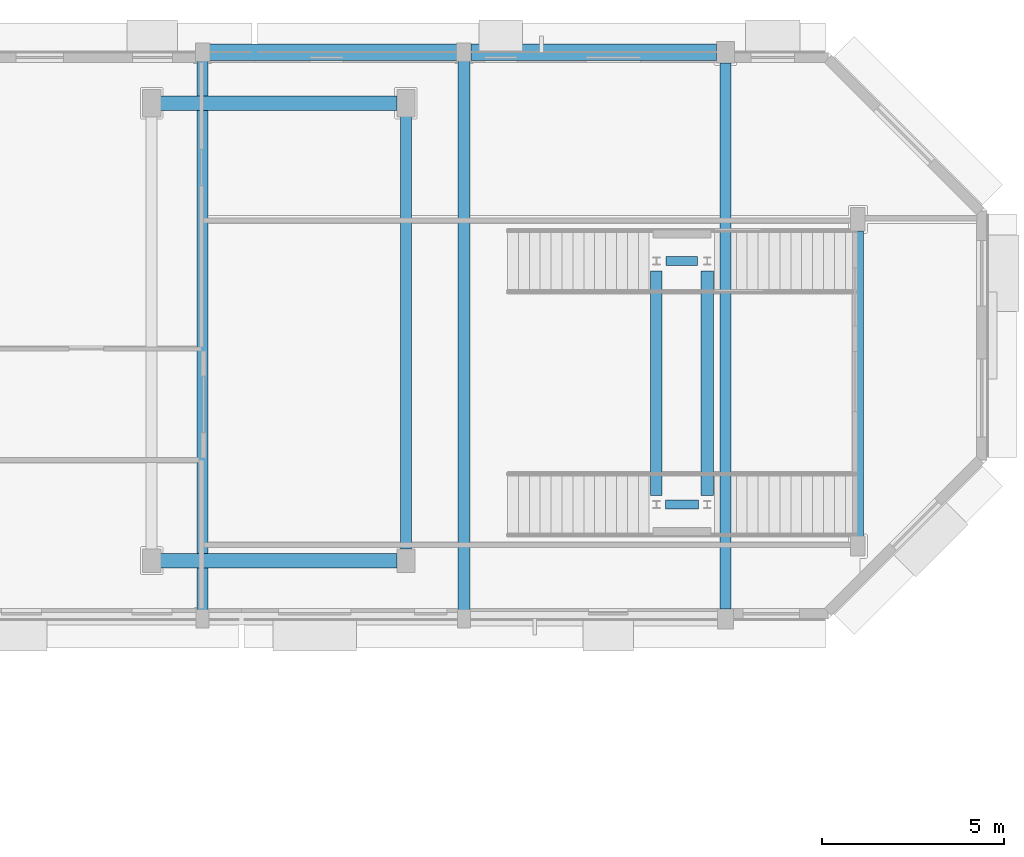
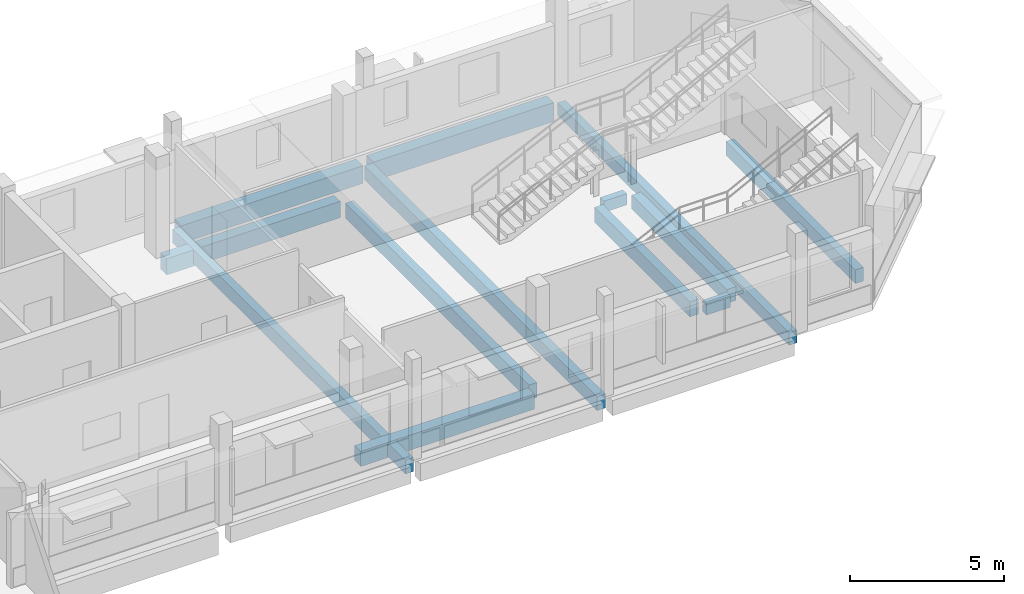
# One storey, part 44 of 92: 13 beams.
"""IFC4 building model written with IfcOpenShell, lengths in metres."""

from ifc_helpers import new_model, si_unit, direction, frame, origin, origin_2d, place, context, subcontext, project, spatial, rectangle, extrude, material, material_profile, profile_set, type_object, element, save


model = new_model("IFC4")

# Units and contexts
model_context = context("Model", 3, precision=1e-05, world=origin(), true_north=direction((0.0, 1.0)))
body_context = subcontext(model_context, "Body", "Model", "MODEL_VIEW")
ifc_project = project(units=[si_unit("LENGTHUNIT", "METRE"), si_unit("AREAUNIT", "SQUARE_METRE"), si_unit("VOLUMEUNIT", "CUBIC_METRE"), si_unit("PLANEANGLEUNIT", "RADIAN"), si_unit("MASSUNIT", "GRAM", prefix="KILO")], contexts=[model_context])

# Site, building, storey
site_placement = place(None, origin())
site = spatial("IfcSite", under=ifc_project, at=site_placement, CompositionType="ELEMENT")
building_placement = place(site_placement, origin())
building = spatial("IfcBuilding", under=site, at=building_placement, Name="Kelanivale Promenade Academy", CompositionType="ELEMENT")
storey_placement = place(building_placement, frame((0.0, 0.0, 8.199951171875)))
storey = spatial("IfcBuildingStorey", under=building, at=storey_placement, Name="L02", CompositionType="ELEMENT", Elevation=8.199951171875)

# Beams
ifc_material = material(Name="Concrete C35/45", Category="concrete")
ifc_material_profile_1 = material_profile(ifc_material, rectangle(XDim=0.39990234375, YDim=0.64990234375, at=origin_2d()), Name="RC-BM 400x650")
ifc_profile_set_1 = profile_set([ifc_material_profile_1], Name="Concrete C35/45")
beam_type_1 = type_object("IfcBeamType", Name="BM-01 RC-BM 400x650", PredefinedType="BEAM", material=ifc_profile_set_1)
beam_1_placement = place(storey_placement, frame((136.044921875, 110.60009765625, -0.60498046875), z_axis=(1.0, 0.0, 0.0), x_axis=(0.0, 1.0, 0.0)))
element("IfcBeam", 1, at=beam_1_placement, inside=storey, type_object=beam_type_1, Name="L02 girder BM-01", PredefinedType="BEAM", context=body_context, shape_type="SweptSolid", body=[
    extrude(rectangle(XDim=0.39990234375, YDim=0.64990234375, at=origin_2d()), origin(), (0.0, 0.0, 1.0), 6.510009765625),
])
ifc_material_profile_2 = material_profile(ifc_material, rectangle(XDim=0.449951171875, YDim=0.699951171875, at=origin_2d()), Name="RC-BM 450x700")
ifc_profile_set_2 = profile_set([ifc_material_profile_2], Name="Concrete C35/45")
beam_type_2 = type_object("IfcBeamType", Name="BM-03 RC-BM 450x700", PredefinedType="BEAM", material=ifc_profile_set_2)
beam_2_placement = place(storey_placement, frame((137.39501953125, 112.0, -0.6298828125), z_axis=(1.0, 0.0, 0.0), x_axis=(0.0, 1.0, 0.0)))
element("IfcBeam", 2, at=beam_2_placement, inside=storey, type_object=beam_type_2, Name="L02 girder BM-03", PredefinedType="BEAM", context=body_context, shape_type="SweptSolid", body=[
    extrude(rectangle(XDim=0.449951171875, YDim=0.699951171875, at=origin_2d()), origin(), (0.0, 0.0, 1.0), 6.81005859375),
])
ifc_material_profile_3 = material_profile(ifc_material, rectangle(XDim=0.449951171875, YDim=0.75, at=origin_2d()), Name="RC-BM 450x750")
ifc_profile_set_3 = profile_set([ifc_material_profile_3], Name="Concrete C35/45")
beam_type_3 = type_object("IfcBeamType", Name="BM-04 RC-BM 450x750", PredefinedType="BEAM", material=ifc_profile_set_3)
beam_3_placement = place(storey_placement, frame((144.594970703125, 112.0, -0.655029296875), z_axis=(1.0, 0.0, 0.0), x_axis=(0.0, 1.0, 0.0)))
element("IfcBeam", 3, at=beam_3_placement, inside=storey, type_object=beam_type_3, Name="L02 girder BM-04", PredefinedType="BEAM", context=body_context, shape_type="SweptSolid", body=[
    extrude(rectangle(XDim=0.449951171875, YDim=0.75, at=origin_2d()), origin(), (0.0, 0.0, 1.0), 6.760009765625),
])
ifc_material_profile_4 = material_profile(ifc_material, rectangle(XDim=0.39990234375, YDim=0.60009765625, at=origin_2d()), Name="RC-BM 400x600")
ifc_profile_set_4 = profile_set([ifc_material_profile_4], Name="Concrete C35/45")
beam_type_4 = type_object("IfcBeamType", Name="BM-12 RC-BM 400x600", PredefinedType="BEAM", material=ifc_profile_set_4)
beam_4_placement = place(storey_placement, frame((136.044921875, 98.0, -0.579833984375), z_axis=(1.0, 0.0, 0.0), x_axis=(0.0, 1.0, 0.0)))
element("IfcBeam", 4, at=beam_4_placement, inside=storey, type_object=beam_type_4, Name="L02 girder BM-12", PredefinedType="BEAM", context=body_context, shape_type="SweptSolid", body=[
    extrude(rectangle(XDim=0.39990234375, YDim=0.60009765625, at=origin_2d()), origin(), (0.0, 0.0, 1.0), 6.510009765625),
])
ifc_material_profile_5 = material_profile(ifc_material, rectangle(XDim=0.300048828125, YDim=0.5, at=origin_2d()), Name="RC-BM 300x500")
ifc_profile_set_5 = profile_set([ifc_material_profile_5], Name="Concrete C35/45")
beam_type_5 = type_object("IfcBeamType", Name="JS-01 RC-BM 300x500", PredefinedType="JOIST", material=ifc_profile_set_5)
beam_5_placement = place(storey_placement, frame((151.60009765625, 96.669921875, -0.530029296875), z_axis=(0.0, 1.0, 0.0), x_axis=(-1.0, 0.0, 0.0)))
element("IfcBeam", 5, at=beam_5_placement, inside=storey, type_object=beam_type_5, Name="L02 beam JS-01", PredefinedType="JOIST", context=body_context, shape_type="SweptSolid", body=[
    extrude(rectangle(XDim=0.300048828125, YDim=0.5, at=origin_2d()), origin(), (0.0, 0.0, 1.0), 15.03515625),
])
ifc_material_profile_6 = material_profile(ifc_material, rectangle(XDim=0.300048828125, YDim=0.550048828125, at=origin_2d()), Name="RC-BM 300x550")
ifc_profile_set_6 = profile_set([ifc_material_profile_6], Name="Concrete C35/45")
beam_type_6 = type_object("IfcBeamType", Name="JS-02 RC-BM 300x550", PredefinedType="JOIST", material=ifc_profile_set_6)
beam_6_placement = place(storey_placement, frame((137.199951171875, 96.64501953125, -0.554931640625), z_axis=(0.0, 1.0, 0.0), x_axis=(-1.0, 0.0, 0.0)))
element("IfcBeam", 6, at=beam_6_placement, inside=storey, type_object=beam_type_6, Name="L02 beam JS-02", PredefinedType="JOIST", context=body_context, shape_type="SweptSolid", body=[
    extrude(rectangle(XDim=0.300048828125, YDim=0.550048828125, at=origin_2d()), origin(), (0.0, 0.0, 1.0), 15.10986328125),
])
beam_7_placement = place(storey_placement, frame((155.25, 98.669921875, -0.554931640625), z_axis=(0.0, 1.0, 0.0), x_axis=(-1.0, 0.0, 0.0)))
element("IfcBeam", 7, at=beam_7_placement, inside=storey, type_object=beam_type_6, Name="L02 beam JS-02", PredefinedType="JOIST", context=body_context, shape_type="SweptSolid", body=[
    extrude(rectangle(XDim=0.300048828125, YDim=0.550048828125, at=origin_2d()), origin(), (0.0, 0.0, 1.0), 8.41015625),
])
ifc_material_profile_7 = material_profile(ifc_material, rectangle(XDim=0.300048828125, YDim=0.60009765625, at=origin_2d()), Name="RC-BM 300x600")
ifc_profile_set_7 = profile_set([ifc_material_profile_7], Name="Concrete C35/45")
beam_type_7 = type_object("IfcBeamType", Name="JS-03 RC-BM 300x600", PredefinedType="JOIST", material=ifc_profile_set_7)
beam_8_placement = place(storey_placement, frame((142.800048828125, 98.320068359375, -0.579833984375), z_axis=(0.0, 1.0, 0.0), x_axis=(-1.0, 0.0, 0.0)))
element("IfcBeam", 8, at=beam_8_placement, inside=storey, type_object=beam_type_7, Name="L02 beam JS-03", PredefinedType="JOIST", context=body_context, shape_type="SweptSolid", body=[
    extrude(rectangle(XDim=0.300048828125, YDim=0.60009765625, at=origin_2d()), origin(), (0.0, 0.0, 1.0), 11.909912109375),
])
ifc_material_profile_8 = material_profile(ifc_material, rectangle(XDim=0.320068359375, YDim=0.550048828125, at=origin_2d()), Name="RC-BM 320x550")
ifc_profile_set_8 = profile_set([ifc_material_profile_8], Name="Concrete C35/45")
beam_type_8 = type_object("IfcBeamType", Name="JS-04 RC-BM 320x550", PredefinedType="JOIST", material=ifc_profile_set_8)
beam_9_placement = place(storey_placement, frame((144.39990234375, 96.64501953125, -0.554931640625), z_axis=(0.0, 1.0, 0.0), x_axis=(-1.0, 0.0, 0.0)))
element("IfcBeam", 9, at=beam_9_placement, inside=storey, type_object=beam_type_8, Name="L02 beam JS-04", PredefinedType="JOIST", context=body_context, shape_type="SweptSolid", body=[
    extrude(rectangle(XDim=0.320068359375, YDim=0.550048828125, at=origin_2d()), origin(), (0.0, 0.0, 1.0), 15.10986328125),
])
ifc_material_profile_9 = material_profile(ifc_material, rectangle(XDim=0.320068359375, YDim=0.60009765625, at=origin_2d()), Name="RC-BM 320x600")
ifc_profile_set_9 = profile_set([ifc_material_profile_9], Name="Concrete C35/45")
beam_type_9 = type_object("IfcBeamType", Name="JS-05 RC-BM 320x600", PredefinedType="JOIST", material=ifc_profile_set_9)
beam_10_placement = place(storey_placement, frame((149.699951171875, 99.794921875, -0.579833984375), z_axis=(0.0, 1.0, 0.0), x_axis=(-1.0, 0.0, 0.0)))
element("IfcBeam", 10, at=beam_10_placement, inside=storey, type_object=beam_type_9, Name="L02 beam JS-05", PredefinedType="JOIST", context=body_context, shape_type="SweptSolid", body=[
    extrude(rectangle(XDim=0.320068359375, YDim=0.60009765625, at=origin_2d()), origin(), (0.0, 0.0, 1.0), 6.18505859375),
])
ifc_material_profile_10 = material_profile(ifc_material, rectangle(XDim=0.35009765625, YDim=0.550048828125, at=origin_2d()), Name="RC-BM 350x550")
ifc_profile_set_10 = profile_set([ifc_material_profile_10], Name="Concrete C35/45")
beam_type_10 = type_object("IfcBeamType", Name="JS-06 RC-BM 350x550", PredefinedType="JOIST", material=ifc_profile_set_10)
beam_11_placement = place(storey_placement, frame((151.10009765625, 99.794921875, -0.554931640625), z_axis=(0.0, 1.0, 0.0), x_axis=(-1.0, 0.0, 0.0)))
element("IfcBeam", 11, at=beam_11_placement, inside=storey, type_object=beam_type_10, Name="L02 beam JS-06", PredefinedType="JOIST", context=body_context, shape_type="SweptSolid", body=[
    extrude(rectangle(XDim=0.35009765625, YDim=0.550048828125, at=origin_2d()), origin(), (0.0, 0.0, 1.0), 6.18505859375),
])
ifc_material_profile_11 = material_profile(ifc_material, rectangle(XDim=0.25, YDim=0.449951171875, at=origin_2d()), Name="RC-BM 250x450")
ifc_profile_set_11 = profile_set([ifc_material_profile_11], Name="Concrete C35/45")
beam_type_11 = type_object("IfcBeamType", Name="LN-01 RC-BM 250x450", PredefinedType="LINTEL", material=ifc_profile_set_11)
beam_12_placement = place(storey_placement, frame((149.945068359375, 99.550048828125, -0.5048828125), z_axis=(1.0, 0.0, 0.0), x_axis=(0.0, 1.0, 0.0)))
element("IfcBeam", 12, at=beam_12_placement, inside=storey, type_object=beam_type_11, Name="L02 girder LN-01", PredefinedType="LINTEL", context=body_context, shape_type="SweptSolid", body=[
    extrude(rectangle(XDim=0.25, YDim=0.449951171875, at=origin_2d()), origin(), (0.0, 0.0, 1.0), 0.909912109375),
])
beam_13_placement = place(storey_placement, frame((149.969970703125, 106.25, -0.5048828125), z_axis=(1.0, 0.0, 0.0), x_axis=(0.0, 1.0, 0.0)))
element("IfcBeam", 13, at=beam_13_placement, inside=storey, type_object=beam_type_11, Name="L02 girder LN-01", PredefinedType="LINTEL", context=body_context, shape_type="SweptSolid", body=[
    extrude(rectangle(XDim=0.25, YDim=0.449951171875, at=origin_2d()), origin(), (0.0, 0.0, 1.0), 0.860107421875),
])

save(model, "model.ifc")
